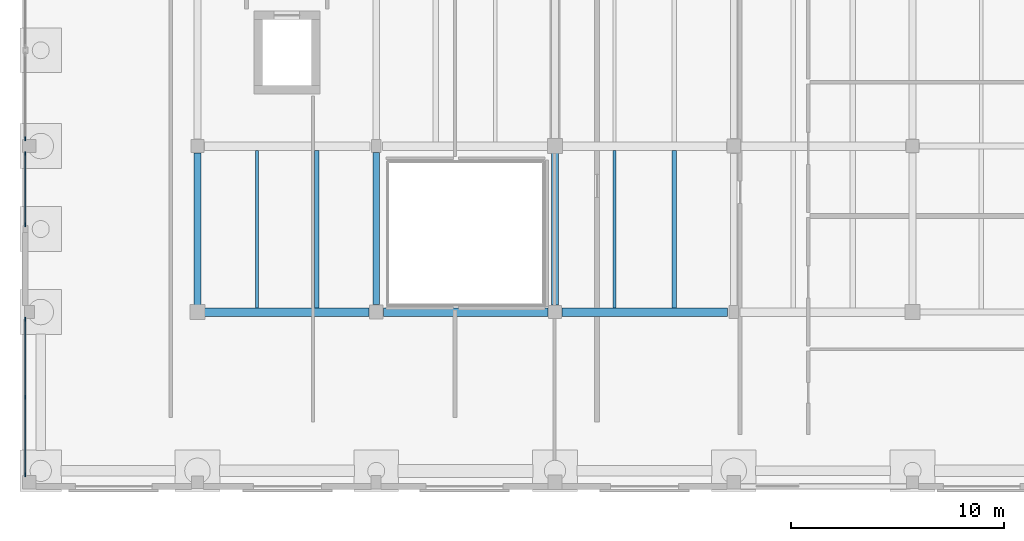
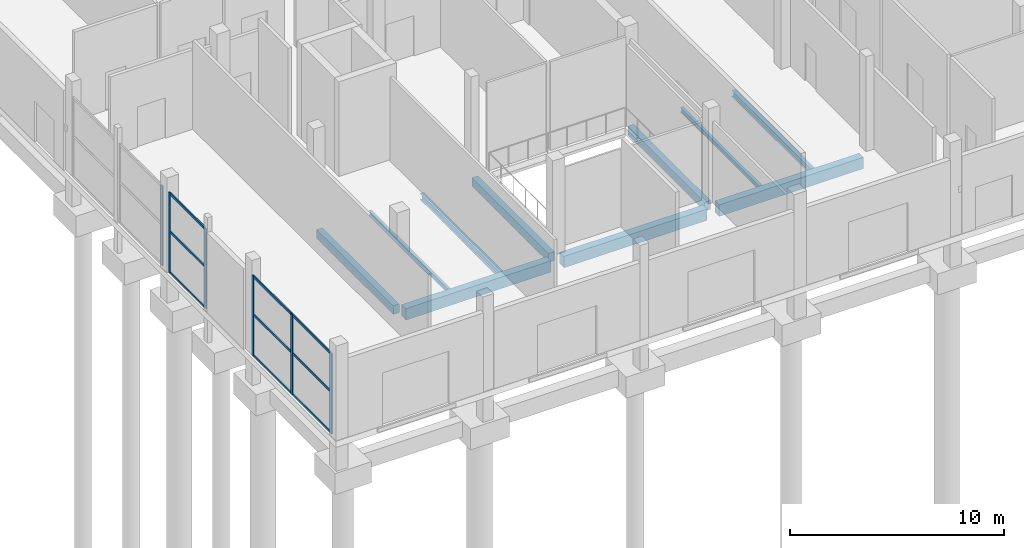
# One storey, part 17 of 88: 15 members, 10 beams, 3 elements without a shape of their own.
"""IFC4 building model written with IfcOpenShell, lengths in metres."""

import ifcopenshell
import ifcopenshell.guid

model = None  # the IFC model being written
_history = None  # IfcOwnerHistory: only IFC2X3 demands one
_inside = {}  # id of a spatial element -> (the spatial element, [elements in it])
_under = {}  # id of a project, library or spatial element -> (it, [spatial elements below it])
_declared = {}  # id of a project -> (the project, [libraries it declares])
_typed = {}  # id of a type object -> (the type object, [elements of that type])
_made_of = {}  # id of a material, layer set ... -> (it, [elements and type objects made of it])


def new_model(schema):
    """Start an empty IFC model of exactly this schema.

    Asked for "IFC4X3", IfcOpenShell would pick the latest addendum, in which some entities
    have other attributes; the version numbers below select the first issue.
    IFC2X3 requires an IfcOwnerHistory on every rooted entity: one is made here for all.
    """
    global model, _history
    if schema == "IFC4X3":
        model = ifcopenshell.file(schema_version=(4, 3, 0, 0))
    else:
        model = ifcopenshell.file(schema=schema)
    _inside.clear()
    _under.clear()
    _declared.clear()
    _typed.clear()
    _made_of.clear()
    _history = None
    if model.schema == "IFC2X3":
        org = make("IfcOrganization", Name="unknown")
        user = make(
            "IfcPersonAndOrganization",
            ThePerson=make("IfcPerson", FamilyName="unknown"),
            TheOrganization=org,
        )
        app = make(
            "IfcApplication",
            ApplicationDeveloper=org,
            Version="unknown",
            ApplicationFullName="unknown",
            ApplicationIdentifier="unknown",
        )
        _history = make(
            "IfcOwnerHistory",
            OwningUser=user,
            OwningApplication=app,
            ChangeAction="ADDED",
            CreationDate=0,
        )
    return model


def make(cls, **values):
    """One entity of the class cls with the attributes given. An attribute that is None is left unset."""
    return model.create_entity(
        cls, **{name: value for name, value in values.items() if value is not None}
    )


def rooted(cls, **values):
    """An entity with a GlobalId (a new one), such as an element, a storey or a relation."""
    return make(cls, GlobalId=ifcopenshell.guid.new(), OwnerHistory=_history, **values)


def si_unit(unit_type, name, prefix=None):
    """IfcSIUnit, for example si_unit("LENGTHUNIT", "METRE", prefix="MILLI")."""
    return make("IfcSIUnit", UnitType=unit_type, Prefix=prefix, Name=name)


def assignment(units):
    """IfcUnitAssignment: the units of a project."""
    return None if units is None else make("IfcUnitAssignment", Units=units)


def point(xyz):
    """IfcCartesianPoint."""
    return None if xyz is None else make("IfcCartesianPoint", Coordinates=xyz)


def direction(xyz):
    """IfcDirection."""
    return None if xyz is None else make("IfcDirection", DirectionRatios=xyz)


def frame(location, z_axis=None, x_axis=None):
    """IfcAxis2Placement3D, a coordinate frame: its origin and axes. An axis left out is left unset."""
    return make(
        "IfcAxis2Placement3D",
        Location=point(location),
        Axis=direction(z_axis),
        RefDirection=direction(x_axis),
    )


def frame_2d(location, x_axis=None):
    """IfcAxis2Placement2D, a coordinate frame in the plane: its origin and x axis."""
    return make(
        "IfcAxis2Placement2D", Location=point(location), RefDirection=direction(x_axis)
    )


def origin():
    """The frame at (0, 0, 0) with its axes left unset."""
    return frame((0.0, 0.0, 0.0))


def origin_2d():
    """The frame at (0, 0) in the plane with its x axis left unset."""
    return frame_2d((0.0, 0.0))


def place(relative_to, where):
    """IfcLocalPlacement: puts the frame where relative to a parent placement (None: the world)."""
    return make(
        "IfcLocalPlacement", PlacementRelTo=relative_to, RelativePlacement=where
    )


def context(
    kind, dimensions, precision=None, world=None, true_north=None, identifier=None
):
    """IfcGeometricRepresentationContext, for example the 3D "Model" context."""
    return make(
        "IfcGeometricRepresentationContext",
        ContextIdentifier=identifier,
        ContextType=kind,
        CoordinateSpaceDimension=dimensions,
        Precision=precision,
        WorldCoordinateSystem=world,
        TrueNorth=true_north,
    )


def subcontext(parent, identifier, kind, view, scale=None):
    """IfcGeometricRepresentationSubContext, for example "Body" below "Model"."""
    return make(
        "IfcGeometricRepresentationSubContext",
        ContextIdentifier=identifier,
        ContextType=kind,
        ParentContext=parent,
        TargetScale=scale,
        TargetView=view,
    )


def project(units=None, contexts=None):
    """IfcProject with its units and contexts."""
    return rooted(
        "IfcProject",
        Name="project",
        RepresentationContexts=contexts,
        UnitsInContext=assignment(units),
    )


def spatial(cls, under=None, at=None, **own):
    """A site, building, storey or space (cls), placed at a placement, below another one or the project."""
    s = rooted(cls, ObjectPlacement=at, **own)
    if under is not None:
        _under.setdefault(under.id(), (under, []))[1].append(s)
    return s


def profile(cls, at=None, kind="AREA", **sizes):
    """A parametric profile (cls). Its sizes go by their IFC names, for example OverallWidth=200.0."""
    return make(cls, ProfileType=kind, Position=at, **sizes)


def rectangle(**sizes):
    """IfcRectangleProfileDef."""
    return profile("IfcRectangleProfileDef", **sizes)


def i_section(**sizes):
    """IfcIShapeProfileDef."""
    return profile("IfcIShapeProfileDef", **sizes)


def extrude(swept, where, along, depth):
    """IfcExtrudedAreaSolid: the profile swept, set in the frame where, extruded along a direction by depth."""
    return make(
        "IfcExtrudedAreaSolid",
        SweptArea=swept,
        Position=where,
        ExtrudedDirection=direction(along),
        Depth=depth,
    )


def shape(context_of_items, identifier, shape_type, items):
    """IfcShapeRepresentation: the items that make up one representation, for example the "Body"."""
    return make(
        "IfcShapeRepresentation",
        ContextOfItems=context_of_items,
        RepresentationIdentifier=identifier,
        RepresentationType=shape_type,
        Items=items,
    )


def material(Name=None, Category=None):
    """IfcMaterial."""
    return make("IfcMaterial", Name=Name, Category=Category)


def layer(
    of_material, thickness, ventilated=None, Name=None, Category=None, Priority=None
):
    """IfcMaterialLayer: one layer of a wall or slab, of a material (None: an air gap)."""
    return make(
        "IfcMaterialLayer",
        Material=of_material,
        LayerThickness=thickness,
        IsVentilated=ventilated,
        Name=Name,
        Category=Category,
        Priority=Priority,
    )


def layer_set(layers, Name=None):
    """IfcMaterialLayerSet."""
    return make("IfcMaterialLayerSet", MaterialLayers=layers, LayerSetName=Name)


def material_profile(
    of_material, cross_section, Name=None, Category=None, Priority=None
):
    """IfcMaterialProfile: a cross section and its material."""
    return make(
        "IfcMaterialProfile",
        Name=Name,
        Material=of_material,
        Profile=cross_section,
        Priority=Priority,
        Category=Category,
    )


def profile_set(profiles, Name=None, composite=None):
    """IfcMaterialProfileSet."""
    return make(
        "IfcMaterialProfileSet",
        Name=Name,
        MaterialProfiles=profiles,
        CompositeProfile=composite,
    )


def made_of(thing, what):
    """Note that an element or type object is made of a material, layer set ...; save() writes the relation."""
    if what is not None:
        _made_of.setdefault(what.id(), (what, []))[1].append(thing)
    return thing


def type_object(cls, material=None, **own):
    """A type object (cls), such as IfcWallType, which elements share."""
    return made_of(rooted(cls, **own), material)


def element(
    cls,
    number,
    at=None,
    inside=None,
    cuts=None,
    type_object=None,
    material=None,
    context=None,
    identifier="Body",
    shape_type=None,
    held_by="IfcProductDefinitionShape",
    body=None,
    shapes=None,
    **own,
):
    """One element of the class cls, such as IfcWall. Its Tag is "e" and its number.

    at: its placement. inside: the storey or other place that contains it. cuts: it is an
    opening in that element (IfcRelVoidsElement). A single representation is given by context,
    identifier, shape_type and body (its items); several are given by shapes. held_by: the class
    of the entity that holds the representations. save() writes the other relations.
    """
    e = rooted(cls, Tag="e%d" % number, ObjectPlacement=at, **own)
    if body is not None:
        shapes = [shape(context, identifier, shape_type, body)]
    if shapes is not None:
        e.Representation = make(held_by, Representations=shapes)
    if inside is not None:
        _inside.setdefault(inside.id(), (inside, []))[1].append(e)
    if cuts is not None:
        rooted(
            "IfcRelVoidsElement", RelatingBuildingElement=cuts, RelatedOpeningElement=e
        )
    if type_object is not None:
        _typed.setdefault(type_object.id(), (type_object, []))[1].append(e)
    return made_of(e, material)


def aggregate(whole, parts):
    """IfcRelAggregates: a whole, such as a stair, and the parts it consists of."""
    return rooted("IfcRelAggregates", RelatingObject=whole, RelatedObjects=parts)


def save(model, path):
    """Write the relations noted so far, then the file.

    IfcRelAggregates (storeys below a building ...), IfcRelContainedInSpatialStructure (elements
    in a storey), IfcRelDefinesByType, IfcRelAssociatesMaterial and IfcRelDeclares: one each for
    every whole, place, type object, material and project.
    """
    for whole, parts in _under.values():
        aggregate(whole, parts)
    for where, things in _inside.values():
        rooted(
            "IfcRelContainedInSpatialStructure",
            RelatedElements=things,
            RelatingStructure=where,
        )
    for kind, things in _typed.values():
        rooted("IfcRelDefinesByType", RelatedObjects=things, RelatingType=kind)
    for what, things in _made_of.values():
        rooted("IfcRelAssociatesMaterial", RelatedObjects=things, RelatingMaterial=what)
    for by, libraries in _declared.values():
        rooted("IfcRelDeclares", RelatingContext=by, RelatedDefinitions=libraries)
    model.write(path)


model = new_model("IFC4")

# Units and contexts
model_context = context("Model", 3, precision=1e-05, world=origin(), true_north=direction((0.0, 1.0)))
body_context = subcontext(model_context, "Body", "Model", "MODEL_VIEW")
ifc_project = project(units=[si_unit("LENGTHUNIT", "METRE"), si_unit("AREAUNIT", "SQUARE_METRE"), si_unit("VOLUMEUNIT", "CUBIC_METRE"), si_unit("PLANEANGLEUNIT", "RADIAN"), si_unit("MASSUNIT", "GRAM", prefix="KILO")], contexts=[model_context])

# Site, building, storey
site_placement = place(None, origin())
site = spatial("IfcSite", under=ifc_project, at=site_placement, CompositionType="ELEMENT")
building_placement = place(site_placement, origin())
building = spatial("IfcBuilding", under=site, at=building_placement, Name="Birchvale Park Specialist Clinic", CompositionType="ELEMENT")
storey_placement = place(building_placement, origin())
storey = spatial("IfcBuildingStorey", under=building, at=storey_placement, Name="L00", CompositionType="ELEMENT", Elevation=0.0)

# Beams
ifc_material_1 = material(Name="Concrete C40/50", Category="concrete")
ifc_material_profile_1 = material_profile(ifc_material_1, rectangle(XDim=0.39990234375, YDim=0.64990234375, at=origin_2d()), Name="RCB-400x650")
ifc_profile_set_1 = profile_set([ifc_material_profile_1], Name="Concrete C40/50")
beam_type_1 = type_object("IfcBeamType", Name="BM-INT-BG4", PredefinedType="BEAM", material=ifc_profile_set_1)
beam_1_placement = place(storey_placement, frame((11.425048828125, 9.0, -0.675048828125), z_axis=(1.0, 0.0, 0.0), x_axis=(0.0, 1.0, 0.0)))
element("IfcBeam", 1, at=beam_1_placement, inside=storey, type_object=beam_type_1, Name="V2 L00 X girder 1", PredefinedType="BEAM", context=body_context, shape_type="SweptSolid", body=[
    extrude(rectangle(XDim=0.39990234375, YDim=0.64990234375, at=origin_2d()), origin(), (0.0, 0.0, 1.0), 7.824951171875),
])
beam_2_placement = place(storey_placement, frame((19.949951171875, 9.0, -0.675048828125), z_axis=(1.0, 0.0, 0.0), x_axis=(0.0, 1.0, 0.0)))
element("IfcBeam", 2, at=beam_2_placement, inside=storey, type_object=beam_type_1, Name="V2 L00 X girder 2", PredefinedType="BEAM", context=body_context, shape_type="SweptSolid", body=[
    extrude(rectangle(XDim=0.39990234375, YDim=0.64990234375, at=origin_2d()), origin(), (0.0, 0.0, 1.0), 7.72509765625),
])
beam_3_placement = place(storey_placement, frame((28.324951171875, 9.0, -0.675048828125), z_axis=(1.0, 0.0, 0.0), x_axis=(0.0, 1.0, 0.0)))
element("IfcBeam", 3, at=beam_3_placement, inside=storey, type_object=beam_type_1, Name="V2 L00 X girder 3", PredefinedType="BEAM", context=body_context, shape_type="SweptSolid", body=[
    extrude(rectangle(XDim=0.39990234375, YDim=0.64990234375, at=origin_2d()), origin(), (0.0, 0.0, 1.0), 7.775146484375),
])
ifc_material_profile_2 = material_profile(ifc_material_1, rectangle(XDim=0.320068359375, YDim=0.5, at=origin_2d()), Name="RCB-320x500")
ifc_profile_set_2 = profile_set([ifc_material_profile_2], Name="Concrete C40/50")
beam_type_2 = type_object("IfcBeamType", Name="BM-INT-BG7", PredefinedType="BEAM", material=ifc_profile_set_2)
beam_4_placement = place(storey_placement, frame((11.199951171875, 9.300048828125, -0.60009765625), z_axis=(0.0, 1.0, 0.0), x_axis=(-1.0, 0.0, 0.0)))
element("IfcBeam", 4, at=beam_4_placement, inside=storey, type_object=beam_type_2, Name="V2 L00 Y girder 26", PredefinedType="BEAM", context=body_context, shape_type="SweptSolid", body=[
    extrude(rectangle(XDim=0.320068359375, YDim=0.5, at=origin_2d()), origin(), (0.0, 0.0, 1.0), 7.175048828125),
])
beam_5_placement = place(storey_placement, frame((19.60009765625, 9.35009765625, -0.60009765625), z_axis=(0.0, 1.0, 0.0), x_axis=(-1.0, 0.0, 0.0)))
element("IfcBeam", 5, at=beam_5_placement, inside=storey, type_object=beam_type_2, Name="V2 L00 Y girder 30", PredefinedType="BEAM", context=body_context, shape_type="SweptSolid", body=[
    extrude(rectangle(XDim=0.320068359375, YDim=0.5, at=origin_2d()), origin(), (0.0, 0.0, 1.0), 7.14990234375),
])
beam_6_placement = place(storey_placement, frame((28.0, 9.324951171875, -0.60009765625), z_axis=(0.0, 1.0, 0.0), x_axis=(-1.0, 0.0, 0.0)))
element("IfcBeam", 6, at=beam_6_placement, inside=storey, type_object=beam_type_2, Name="V2 L00 Y girder 34", PredefinedType="BEAM", context=body_context, shape_type="SweptSolid", body=[
    extrude(rectangle(XDim=0.320068359375, YDim=0.5, at=origin_2d()), origin(), (0.0, 0.0, 1.0), 7.175048828125),
])

# Curtain wall, member
ifc_material_2 = material(Name="Thermally broken anodised aluminium", Category="aluminium")
ifc_layer = layer(ifc_material_2, 0.195068359375)
ifc_layer_set = layer_set([ifc_layer], Name="Thermally broken anodised aluminium")
curtain_wall_type = type_object("IfcCurtainWallType", Name="CW-U2", PredefinedType="USERDEFINED", material=ifc_layer_set)
curtain_wall_1_placement = place(storey_placement, origin())
curtain_wall_1 = element("IfcCurtainWall", 7, at=curtain_wall_1_placement, inside=storey, type_object=curtain_wall_type, Name="V2 L00 glazed curtain wall 21", ObjectType="UNITISED", PredefinedType="USERDEFINED")
ifc_material_profile_3 = material_profile(ifc_material_2, rectangle(XDim=0.06494140625, YDim=0.179931640625, at=origin_2d()), Name="CWM-65x180")
ifc_profile_set_3 = profile_set([ifc_material_profile_3], Name="Thermally broken anodised aluminium")
member_type_1 = type_object("IfcMemberType", Name="CWM2", PredefinedType="MULLION", material=ifc_profile_set_3)
member_1_placement = place(storey_placement, frame((3.10498046875, 17.1474609375, 0.0), z_axis=(0.0, 0.0, 1.0), x_axis=(1.0, 0.0, 0.0)))
member_1 = element("IfcMember", 8, at=member_1_placement, type_object=member_type_1, Name="CW mullion 2", PredefinedType="MULLION", context=body_context, shape_type="SweptSolid", body=[
    extrude(rectangle(XDim=0.06494140625, YDim=0.179931640625, at=origin_2d()), origin(), (0.0, 0.0, 1.0), 4.534912109375),
])
aggregate(curtain_wall_1, [member_1])

# Curtain wall, members
curtain_wall_2_placement = place(storey_placement, origin())
curtain_wall_2 = element("IfcCurtainWall", 9, at=curtain_wall_2_placement, inside=storey, type_object=curtain_wall_type, Name="V2 L00 glazed curtain wall 22", ObjectType="UNITISED", PredefinedType="USERDEFINED")
member_2_placement = place(storey_placement, frame((3.10498046875, 16.452392578125, 0.0), z_axis=(0.0, 0.0, 1.0), x_axis=(1.0, 0.0, 0.0)))
member_2 = element("IfcMember", 10, at=member_2_placement, type_object=member_type_1, Name="CW mullion 1", PredefinedType="MULLION", context=body_context, shape_type="SweptSolid", body=[
    extrude(rectangle(XDim=0.06494140625, YDim=0.179931640625, at=origin_2d()), origin(), (0.0, 0.0, 1.0), 4.570068359375),
])
member_3_placement = place(storey_placement, frame((3.10498046875, 13.1025390625, 0.0), z_axis=(0.0, 0.0, 1.0), x_axis=(1.0, 0.0, 0.0)))
member_3 = element("IfcMember", 11, at=member_3_placement, type_object=member_type_1, Name="CW mullion 2", PredefinedType="MULLION", context=body_context, shape_type="SweptSolid", body=[
    extrude(rectangle(XDim=0.06494140625, YDim=0.179931640625, at=origin_2d()), origin(), (0.0, 0.0, 1.0), 4.570068359375),
])

curtain_wall_3_placement = place(storey_placement, origin())
curtain_wall_3 = element("IfcCurtainWall", 12, at=curtain_wall_3_placement, inside=storey, type_object=curtain_wall_type, Name="V2 L00 glazed curtain wall 23", ObjectType="UNITISED", PredefinedType="USERDEFINED")
member_4_placement = place(storey_placement, frame((3.10498046875, 8.652587890625, 0.0), z_axis=(0.0, 0.0, 1.0), x_axis=(1.0, 0.0, 0.0)))
member_4 = element("IfcMember", 13, at=member_4_placement, type_object=member_type_1, Name="CW mullion 1", PredefinedType="MULLION", context=body_context, shape_type="SweptSolid", body=[
    extrude(rectangle(XDim=0.06494140625, YDim=0.179931640625, at=origin_2d()), origin(), (0.0, 0.0, 1.0), 4.570068359375),
])
member_5_placement = place(storey_placement, frame((3.10498046875, 5.0, 0.0), z_axis=(0.0, 0.0, 1.0), x_axis=(1.0, 0.0, 0.0)))
member_5 = element("IfcMember", 14, at=member_5_placement, type_object=member_type_1, Name="CW mullion 2", PredefinedType="MULLION", context=body_context, shape_type="SweptSolid", body=[
    extrude(rectangle(XDim=0.06494140625, YDim=0.179931640625, at=origin_2d()), origin(), (0.0, 0.0, 1.0), 4.570068359375),
])
member_6_placement = place(storey_placement, frame((3.10498046875, 1.347412109375, 0.0), z_axis=(0.0, 0.0, 1.0), x_axis=(1.0, 0.0, 0.0)))
member_6 = element("IfcMember", 15, at=member_6_placement, type_object=member_type_1, Name="CW mullion 3", PredefinedType="MULLION", context=body_context, shape_type="SweptSolid", body=[
    extrude(rectangle(XDim=0.06494140625, YDim=0.179931640625, at=origin_2d()), origin(), (0.0, 0.0, 1.0), 4.570068359375),
])

# Member
ifc_material_profile_4 = material_profile(ifc_material_2, rectangle(XDim=0.06494140625, YDim=0.139892578125, at=origin_2d()), Name="CWT-65x140")
ifc_profile_set_4 = profile_set([ifc_material_profile_4], Name="Thermally broken anodised aluminium")
member_type_2 = type_object("IfcMemberType", Name="CWT2", PredefinedType="USERDEFINED", material=ifc_profile_set_4)
member_7_placement = place(storey_placement, frame((3.10498046875, 16.419921875, 0.032470703125), z_axis=(0.0, -1.0, 0.0), x_axis=(1.0, 0.0, 0.0)))
member_7 = element("IfcMember", 16, at=member_7_placement, type_object=member_type_2, Name="CW transom 1.1", ObjectType="TRANSOM", PredefinedType="USERDEFINED", context=body_context, shape_type="SweptSolid", body=[
    extrude(rectangle(XDim=0.06494140625, YDim=0.139892578125, at=origin_2d()), origin(), (0.0, 0.0, 1.0), 3.284912109375),
])

member_8_placement = place(storey_placement, frame((3.10498046875, 16.419921875, 2.37646484375), z_axis=(0.0, -1.0, 0.0), x_axis=(1.0, 0.0, 0.0)))
member_8 = element("IfcMember", 17, at=member_8_placement, type_object=member_type_2, Name="CW transom 1.2", ObjectType="TRANSOM", PredefinedType="USERDEFINED", context=body_context, shape_type="SweptSolid", body=[
    extrude(rectangle(XDim=0.06494140625, YDim=0.139892578125, at=origin_2d()), origin(), (0.0, 0.0, 1.0), 3.284912109375),
])

member_9_placement = place(storey_placement, frame((3.10498046875, 16.419921875, 4.53759765625), z_axis=(0.0, -1.0, 0.0), x_axis=(1.0, 0.0, 0.0)))
member_9 = element("IfcMember", 18, at=member_9_placement, type_object=member_type_2, Name="CW transom 1.3", ObjectType="TRANSOM", PredefinedType="USERDEFINED", context=body_context, shape_type="SweptSolid", body=[
    extrude(rectangle(XDim=0.06494140625, YDim=0.139892578125, at=origin_2d()), origin(), (0.0, 0.0, 1.0), 3.284912109375),
])

aggregate(curtain_wall_2, [member_2, member_3, member_7, member_8, member_9])

member_10_placement = place(storey_placement, frame((3.10498046875, 8.6201171875, 0.032470703125), z_axis=(0.0, -1.0, 0.0), x_axis=(1.0, 0.0, 0.0)))
member_10 = element("IfcMember", 19, at=member_10_placement, type_object=member_type_2, Name="CW transom 1.1", ObjectType="TRANSOM", PredefinedType="USERDEFINED", context=body_context, shape_type="SweptSolid", body=[
    extrude(rectangle(XDim=0.06494140625, YDim=0.139892578125, at=origin_2d()), origin(), (0.0, 0.0, 1.0), 3.587646484375),
])

member_11_placement = place(storey_placement, frame((3.10498046875, 8.6201171875, 2.37646484375), z_axis=(0.0, -1.0, 0.0), x_axis=(1.0, 0.0, 0.0)))
member_11 = element("IfcMember", 20, at=member_11_placement, type_object=member_type_2, Name="CW transom 1.2", ObjectType="TRANSOM", PredefinedType="USERDEFINED", context=body_context, shape_type="SweptSolid", body=[
    extrude(rectangle(XDim=0.06494140625, YDim=0.139892578125, at=origin_2d()), origin(), (0.0, 0.0, 1.0), 3.587646484375),
])

member_12_placement = place(storey_placement, frame((3.10498046875, 8.6201171875, 4.53759765625), z_axis=(0.0, -1.0, 0.0), x_axis=(1.0, 0.0, 0.0)))
member_12 = element("IfcMember", 21, at=member_12_placement, type_object=member_type_2, Name="CW transom 1.3", ObjectType="TRANSOM", PredefinedType="USERDEFINED", context=body_context, shape_type="SweptSolid", body=[
    extrude(rectangle(XDim=0.06494140625, YDim=0.139892578125, at=origin_2d()), origin(), (0.0, 0.0, 1.0), 3.587646484375),
])

member_13_placement = place(storey_placement, frame((3.10498046875, 4.967529296875, 0.032470703125), z_axis=(0.0, -1.0, 0.0), x_axis=(1.0, 0.0, 0.0)))
member_13 = element("IfcMember", 22, at=member_13_placement, type_object=member_type_2, Name="CW transom 2.1", ObjectType="TRANSOM", PredefinedType="USERDEFINED", context=body_context, shape_type="SweptSolid", body=[
    extrude(rectangle(XDim=0.06494140625, YDim=0.139892578125, at=origin_2d()), origin(), (0.0, 0.0, 1.0), 3.587646484375),
])

member_14_placement = place(storey_placement, frame((3.10498046875, 4.967529296875, 2.37646484375), z_axis=(0.0, -1.0, 0.0), x_axis=(1.0, 0.0, 0.0)))
member_14 = element("IfcMember", 23, at=member_14_placement, type_object=member_type_2, Name="CW transom 2.2", ObjectType="TRANSOM", PredefinedType="USERDEFINED", context=body_context, shape_type="SweptSolid", body=[
    extrude(rectangle(XDim=0.06494140625, YDim=0.139892578125, at=origin_2d()), origin(), (0.0, 0.0, 1.0), 3.587646484375),
])

member_15_placement = place(storey_placement, frame((3.10498046875, 4.967529296875, 4.53759765625), z_axis=(0.0, -1.0, 0.0), x_axis=(1.0, 0.0, 0.0)))
member_15 = element("IfcMember", 24, at=member_15_placement, type_object=member_type_2, Name="CW transom 2.3", ObjectType="TRANSOM", PredefinedType="USERDEFINED", context=body_context, shape_type="SweptSolid", body=[
    extrude(rectangle(XDim=0.06494140625, YDim=0.139892578125, at=origin_2d()), origin(), (0.0, 0.0, 1.0), 3.587646484375),
])

aggregate(curtain_wall_3, [member_4, member_5, member_6, member_10, member_11, member_12, member_13, member_14, member_15])

# Beams
ifc_material_3 = material(Name="Steel ASTM A992 Grade 50", Category="steel")
ifc_material_profile_5 = material_profile(ifc_material_3, i_section(OverallWidth=0.2041015625, OverallDepth=0.35107421875, WebThickness=0.008544921875, FlangeThickness=0.01513671875, at=origin_2d()), Name="W14X48")
ifc_profile_set_5 = profile_set([ifc_material_profile_5], Name="Steel ASTM A992 Grade 50")
beam_type_3 = type_object("IfcBeamType", Name="STL-INT-SJ1", PredefinedType="JOIST", material=ifc_profile_set_5)
for number, where, z_axis, x_axis, name in (
    (25, (16.800048828125, 9.199951171875, -0.525390625), (0.0, 1.0, 0.0), (-1.0, 0.0, 0.0), "V2 L00 secondary floor joist 2"),
    (26, (33.60009765625, 9.199951171875, -0.525390625), (0.0, 1.0, 0.0), (-1.0, 0.0, 0.0), "V2 L00 secondary floor joist 12"),
):
    element("IfcBeam", number, at=place(storey_placement, frame(where, z_axis=z_axis, x_axis=x_axis)), inside=storey, type_object=beam_type_3, Name=name, PredefinedType="JOIST", context=body_context, shape_type="SweptSolid", body=[
        extrude(i_section(OverallWidth=0.2041015625, OverallDepth=0.35107421875, WebThickness=0.008544921875, FlangeThickness=0.01513671875, at=origin_2d()), origin(), (0.0, 0.0, 1.0), 7.400146484375),
    ])
ifc_material_profile_6 = material_profile(ifc_material_3, i_section(OverallWidth=0.14697265625, OverallDepth=0.261962890625, WebThickness=0.006591796875, FlangeThickness=0.01123046875, at=origin_2d()), Name="W10X26")
ifc_profile_set_6 = profile_set([ifc_material_profile_6], Name="Steel ASTM A992 Grade 50")
beam_type_4 = type_object("IfcBeamType", Name="STL-INT-SJ5", PredefinedType="JOIST", material=ifc_profile_set_6)
for number, where, z_axis, x_axis, name in (
    (27, (14.0, 9.199951171875, -0.48095703125), (0.0, 1.0, 0.0), (-1.0, 0.0, 0.0), "V2 L00 secondary floor joist 1"),
    (28, (30.800048828125, 9.199951171875, -0.48095703125), (0.0, 1.0, 0.0), (-1.0, 0.0, 0.0), "V2 L00 secondary floor joist 11"),
):
    element("IfcBeam", number, at=place(storey_placement, frame(where, z_axis=z_axis, x_axis=x_axis)), inside=storey, type_object=beam_type_4, Name=name, PredefinedType="JOIST", context=body_context, shape_type="SweptSolid", body=[
        extrude(i_section(OverallWidth=0.14697265625, OverallDepth=0.261962890625, WebThickness=0.006591796875, FlangeThickness=0.01123046875, at=origin_2d()), origin(), (0.0, 0.0, 1.0), 7.400146484375),
    ])

save(model, "model.ifc")
